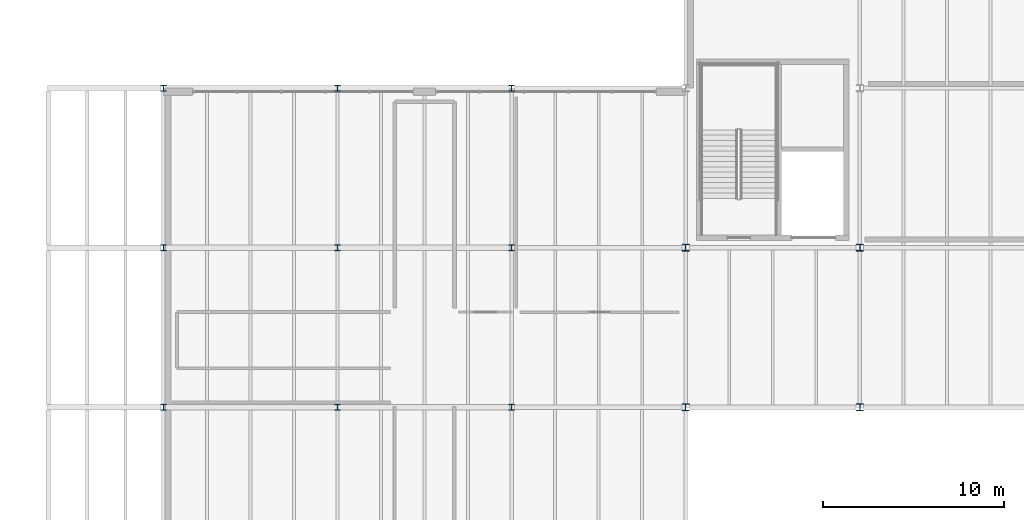
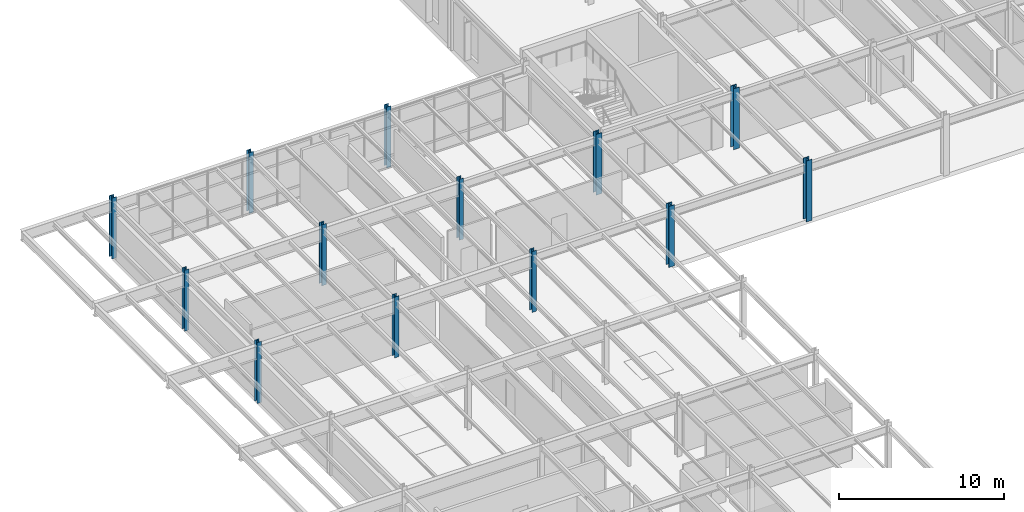
# One storey, part 8 of 77: 13 columns.
"""IFC4 building model written with IfcOpenShell, lengths in metres."""

from ifc_helpers import new_model, si_unit, direction, frame, origin, origin_2d, place, context, subcontext, project, spatial, i_section, extrude, material, material_profile, profile_set, type_object, element, save


model = new_model("IFC4")

# Units and contexts
model_context = context("Model", 3, precision=1e-05, world=origin(), true_north=direction((0.0, 1.0)))
body_context = subcontext(model_context, "Body", "Model", "MODEL_VIEW")
ifc_project = project(units=[si_unit("LENGTHUNIT", "METRE"), si_unit("AREAUNIT", "SQUARE_METRE"), si_unit("VOLUMEUNIT", "CUBIC_METRE"), si_unit("PLANEANGLEUNIT", "RADIAN"), si_unit("MASSUNIT", "GRAM", prefix="KILO")], contexts=[model_context])

# Site, building, storey
site_placement = place(None, origin())
site = spatial("IfcSite", under=ifc_project, at=site_placement, CompositionType="ELEMENT")
building_placement = place(site_placement, origin())
building = spatial("IfcBuilding", under=site, at=building_placement, Name="Sarnbrook Museum", CompositionType="ELEMENT")
storey_placement = place(building_placement, frame((0.0, 0.0, 5.60009765625)))
storey = spatial("IfcBuildingStorey", under=building, at=storey_placement, Name="L01", CompositionType="ELEMENT", Elevation=5.60009765625)

# Columns
ifc_material_1 = material(Name="Structural Steel Grade 300PLUS (AS/NZS 3679.1, fy = 280 MPa for 17 < t <= 40 mm, 300 MPa for t <= 17 mm)", Category="steel")
ifc_material_profile_1 = material_profile(ifc_material_1, i_section(OverallWidth=0.31103515625, OverallDepth=0.326904296875, WebThickness=0.015625, FlangeThickness=0.02490234375, FilletRadius=0.0166015625, at=origin_2d()), Name="310UC158")
ifc_profile_set_1 = profile_set([ifc_material_profile_1], Name="Structural Steel Grade 300PLUS (AS/NZS 3679.1, fy = 280 MPa for 17 < t <= 40 mm, 300 MPa for t <= 17 mm)")
column_type_1 = type_object("IfcColumnType", Name="COL-UC310H", PredefinedType="COLUMN", material=ifc_profile_set_1)
for number, where, z_axis, x_axis, name in (
    (1, (13.60009765625, 74.39990234375, 0.0), (0.0, 0.0, 1.0), (1.0, 0.0, 0.0), "Column 2-J L01"),
    (2, (13.60009765625, 83.199951171875, 0.0), (0.0, 0.0, 1.0), (1.0, 0.0, 0.0), "Column 2-K L01"),
    (3, (13.60009765625, 92.0, 0.0), (0.0, 0.0, 1.0), (1.0, 0.0, 0.0), "Column 2-L L01"),
    (4, (23.199951171875, 74.39990234375, 0.0), (0.0, 0.0, 1.0), (1.0, 0.0, 0.0), "Column 3-J L01"),
    (5, (23.199951171875, 83.199951171875, 0.0), (0.0, 0.0, 1.0), (1.0, 0.0, 0.0), "Column 3-K L01"),
    (6, (23.199951171875, 92.0, 0.0), (0.0, 0.0, 1.0), (1.0, 0.0, 0.0), "Column 3-L L01"),
    (7, (32.800048828125, 74.39990234375, 0.0), (0.0, 0.0, 1.0), (1.0, 0.0, 0.0), "Column 4-J L01"),
    (8, (32.800048828125, 83.199951171875, 0.0), (0.0, 0.0, 1.0), (1.0, 0.0, 0.0), "Column 4-K L01"),
    (9, (32.800048828125, 92.0, 0.0), (0.0, 0.0, 1.0), (1.0, 0.0, 0.0), "Column 4-L L01"),
):
    element("IfcColumn", number, at=place(storey_placement, frame(where, z_axis=z_axis, x_axis=x_axis)), inside=storey, type_object=column_type_1, Name=name, PredefinedType="COLUMN", context=body_context, shape_type="SweptSolid", body=[
        extrude(i_section(OverallWidth=0.31103515625, OverallDepth=0.326904296875, WebThickness=0.015625, FlangeThickness=0.02490234375, FilletRadius=0.0166015625, at=origin_2d()), origin(), (0.0, 0.0, 1.0), 4.5),
    ])
ifc_material_2 = material(Name="Structural Steel Grade 350L0 (AS/NZS 3678, fy = 340 MPa for 20 < t <= 40 mm)", Category="steel")
ifc_material_profile_2 = material_profile(ifc_material_2, i_section(OverallWidth=0.39990234375, OverallDepth=0.382080078125, WebThickness=0.02490234375, FlangeThickness=0.035888671875, at=origin_2d()), Name="400WC270")
ifc_profile_set_2 = profile_set([ifc_material_profile_2], Name="Structural Steel Grade 350L0 (AS/NZS 3678, fy = 340 MPa for 20 < t <= 40 mm)")
column_type_2 = type_object("IfcColumnType", Name="COL-WC400", PredefinedType="COLUMN", material=ifc_profile_set_2)
for number, where, z_axis, x_axis, name in (
    (10, (42.39990234375, 74.39990234375, 0.0), (0.0, 0.0, 1.0), (1.0, 0.0, 0.0), "Column 5-J L01"),
    (11, (42.39990234375, 83.199951171875, 0.0), (0.0, 0.0, 1.0), (1.0, 0.0, 0.0), "Column 5-K L01"),
    (12, (52.0, 74.39990234375, 0.0), (0.0, 0.0, 1.0), (1.0, 0.0, 0.0), "Column 6-J L01"),
    (13, (52.0, 83.199951171875, 0.0), (0.0, 0.0, 1.0), (1.0, 0.0, 0.0), "Column 6-K L01"),
):
    element("IfcColumn", number, at=place(storey_placement, frame(where, z_axis=z_axis, x_axis=x_axis)), inside=storey, type_object=column_type_2, Name=name, PredefinedType="COLUMN", context=body_context, shape_type="SweptSolid", body=[
        extrude(i_section(OverallWidth=0.39990234375, OverallDepth=0.382080078125, WebThickness=0.02490234375, FlangeThickness=0.035888671875, at=origin_2d()), origin(), (0.0, 0.0, 1.0), 4.5),
    ])

save(model, "model.ifc")
